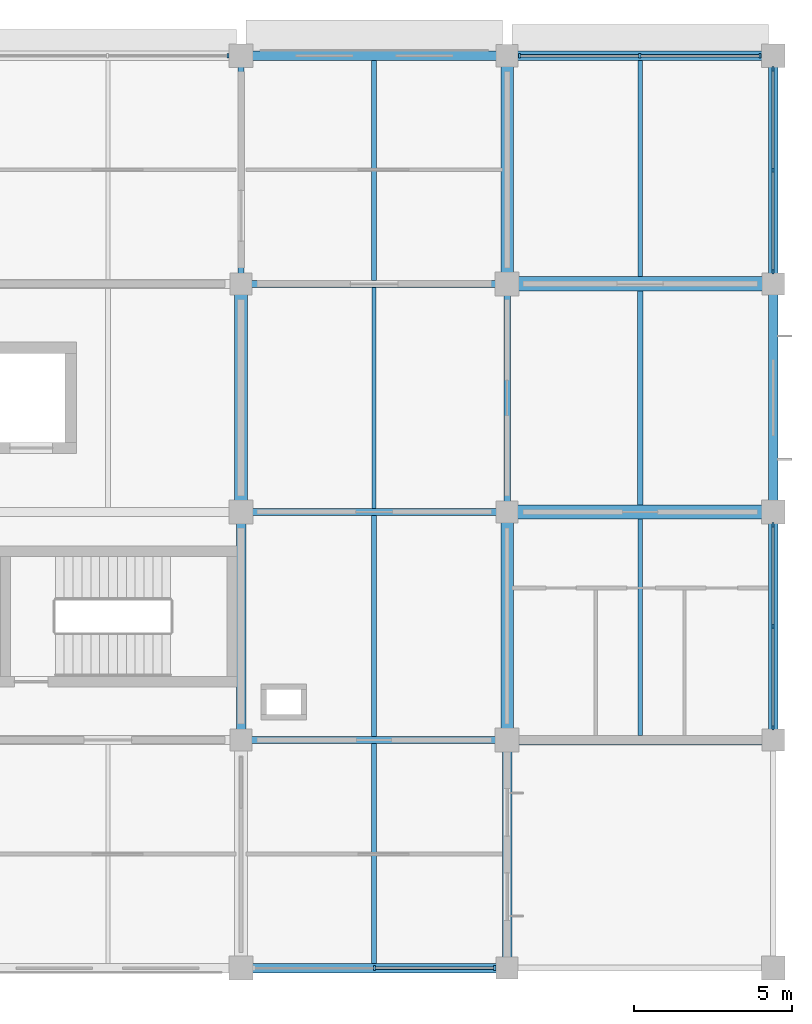
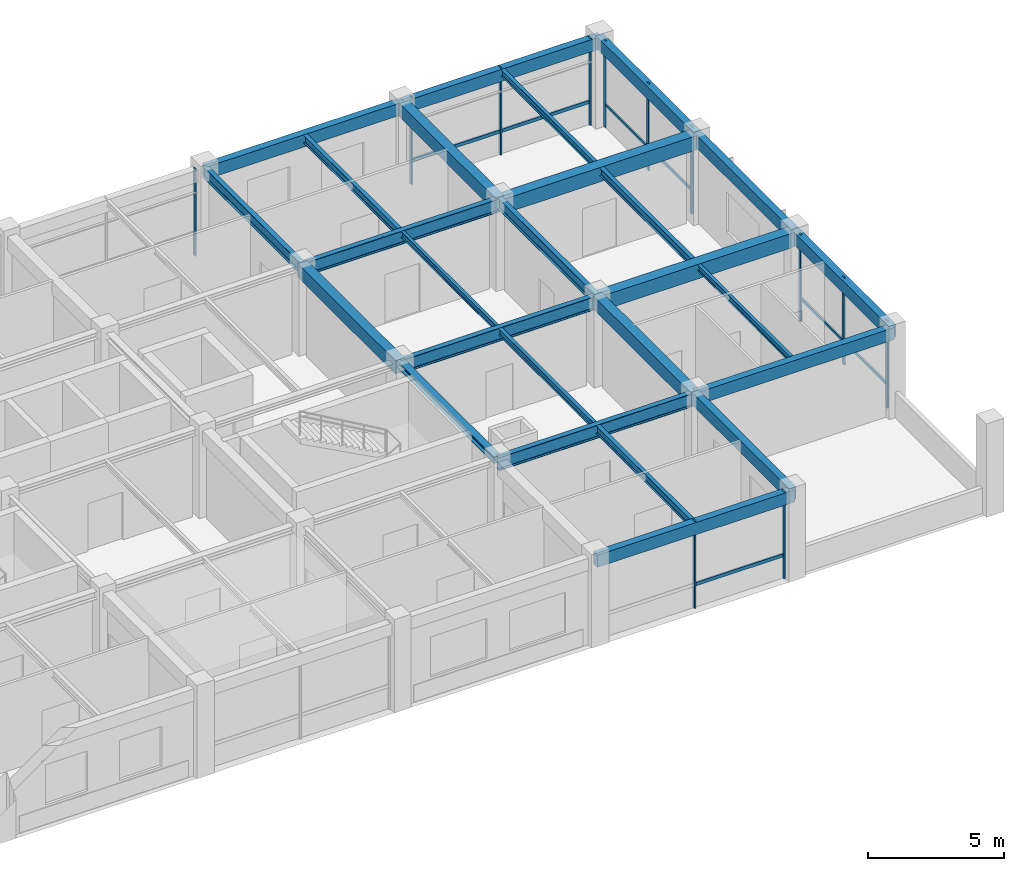
# One storey, part 6 of 14: 26 beams, 19 members, 5 elements without a shape of their own.
"""IFC4 building model written with IfcOpenShell, lengths in metres."""

import ifcopenshell
import ifcopenshell.guid

model = None  # the IFC model being written
_history = None  # IfcOwnerHistory: only IFC2X3 demands one
_inside = {}  # id of a spatial element -> (the spatial element, [elements in it])
_under = {}  # id of a project, library or spatial element -> (it, [spatial elements below it])
_declared = {}  # id of a project -> (the project, [libraries it declares])
_typed = {}  # id of a type object -> (the type object, [elements of that type])
_made_of = {}  # id of a material, layer set ... -> (it, [elements and type objects made of it])


def new_model(schema):
    """Start an empty IFC model of exactly this schema.

    Asked for "IFC4X3", IfcOpenShell would pick the latest addendum, in which some entities
    have other attributes; the version numbers below select the first issue.
    IFC2X3 requires an IfcOwnerHistory on every rooted entity: one is made here for all.
    """
    global model, _history
    if schema == "IFC4X3":
        model = ifcopenshell.file(schema_version=(4, 3, 0, 0))
    else:
        model = ifcopenshell.file(schema=schema)
    _inside.clear()
    _under.clear()
    _declared.clear()
    _typed.clear()
    _made_of.clear()
    _history = None
    if model.schema == "IFC2X3":
        org = make("IfcOrganization", Name="unknown")
        user = make(
            "IfcPersonAndOrganization",
            ThePerson=make("IfcPerson", FamilyName="unknown"),
            TheOrganization=org,
        )
        app = make(
            "IfcApplication",
            ApplicationDeveloper=org,
            Version="unknown",
            ApplicationFullName="unknown",
            ApplicationIdentifier="unknown",
        )
        _history = make(
            "IfcOwnerHistory",
            OwningUser=user,
            OwningApplication=app,
            ChangeAction="ADDED",
            CreationDate=0,
        )
    return model


def make(cls, **values):
    """One entity of the class cls with the attributes given. An attribute that is None is left unset."""
    return model.create_entity(
        cls, **{name: value for name, value in values.items() if value is not None}
    )


def rooted(cls, **values):
    """An entity with a GlobalId (a new one), such as an element, a storey or a relation."""
    return make(cls, GlobalId=ifcopenshell.guid.new(), OwnerHistory=_history, **values)


def si_unit(unit_type, name, prefix=None):
    """IfcSIUnit, for example si_unit("LENGTHUNIT", "METRE", prefix="MILLI")."""
    return make("IfcSIUnit", UnitType=unit_type, Prefix=prefix, Name=name)


def derived_unit(unit_type, elements):
    """IfcDerivedUnit: a product of units, each with its exponent."""
    return make(
        "IfcDerivedUnit",
        Elements=[
            make("IfcDerivedUnitElement", Unit=unit, Exponent=power)
            for unit, power in elements
        ],
        UnitType=unit_type,
    )


def assignment(units):
    """IfcUnitAssignment: the units of a project."""
    return None if units is None else make("IfcUnitAssignment", Units=units)


def point(xyz):
    """IfcCartesianPoint."""
    return None if xyz is None else make("IfcCartesianPoint", Coordinates=xyz)


def direction(xyz):
    """IfcDirection."""
    return None if xyz is None else make("IfcDirection", DirectionRatios=xyz)


def frame(location, z_axis=None, x_axis=None):
    """IfcAxis2Placement3D, a coordinate frame: its origin and axes. An axis left out is left unset."""
    return make(
        "IfcAxis2Placement3D",
        Location=point(location),
        Axis=direction(z_axis),
        RefDirection=direction(x_axis),
    )


def frame_2d(location, x_axis=None):
    """IfcAxis2Placement2D, a coordinate frame in the plane: its origin and x axis."""
    return make(
        "IfcAxis2Placement2D", Location=point(location), RefDirection=direction(x_axis)
    )


def origin():
    """The frame at (0, 0, 0) with its axes left unset."""
    return frame((0.0, 0.0, 0.0))


def origin_2d():
    """The frame at (0, 0) in the plane with its x axis left unset."""
    return frame_2d((0.0, 0.0))


def place(relative_to, where):
    """IfcLocalPlacement: puts the frame where relative to a parent placement (None: the world)."""
    return make(
        "IfcLocalPlacement", PlacementRelTo=relative_to, RelativePlacement=where
    )


def context(
    kind, dimensions, precision=None, world=None, true_north=None, identifier=None
):
    """IfcGeometricRepresentationContext, for example the 3D "Model" context."""
    return make(
        "IfcGeometricRepresentationContext",
        ContextIdentifier=identifier,
        ContextType=kind,
        CoordinateSpaceDimension=dimensions,
        Precision=precision,
        WorldCoordinateSystem=world,
        TrueNorth=true_north,
    )


def subcontext(parent, identifier, kind, view, scale=None):
    """IfcGeometricRepresentationSubContext, for example "Body" below "Model"."""
    return make(
        "IfcGeometricRepresentationSubContext",
        ContextIdentifier=identifier,
        ContextType=kind,
        ParentContext=parent,
        TargetScale=scale,
        TargetView=view,
    )


def project(units=None, contexts=None):
    """IfcProject with its units and contexts."""
    return rooted(
        "IfcProject",
        Name="project",
        RepresentationContexts=contexts,
        UnitsInContext=assignment(units),
    )


def spatial(cls, under=None, at=None, **own):
    """A site, building, storey or space (cls), placed at a placement, below another one or the project."""
    s = rooted(cls, ObjectPlacement=at, **own)
    if under is not None:
        _under.setdefault(under.id(), (under, []))[1].append(s)
    return s


def profile(cls, at=None, kind="AREA", **sizes):
    """A parametric profile (cls). Its sizes go by their IFC names, for example OverallWidth=200.0."""
    return make(cls, ProfileType=kind, Position=at, **sizes)


def rectangle(**sizes):
    """IfcRectangleProfileDef."""
    return profile("IfcRectangleProfileDef", **sizes)


def i_section(**sizes):
    """IfcIShapeProfileDef."""
    return profile("IfcIShapeProfileDef", **sizes)


def extrude(swept, where, along, depth):
    """IfcExtrudedAreaSolid: the profile swept, set in the frame where, extruded along a direction by depth."""
    return make(
        "IfcExtrudedAreaSolid",
        SweptArea=swept,
        Position=where,
        ExtrudedDirection=direction(along),
        Depth=depth,
    )


def shape(context_of_items, identifier, shape_type, items):
    """IfcShapeRepresentation: the items that make up one representation, for example the "Body"."""
    return make(
        "IfcShapeRepresentation",
        ContextOfItems=context_of_items,
        RepresentationIdentifier=identifier,
        RepresentationType=shape_type,
        Items=items,
    )


def material(Name=None, Category=None):
    """IfcMaterial."""
    return make("IfcMaterial", Name=Name, Category=Category)


def material_profile(
    of_material, cross_section, Name=None, Category=None, Priority=None
):
    """IfcMaterialProfile: a cross section and its material."""
    return make(
        "IfcMaterialProfile",
        Name=Name,
        Material=of_material,
        Profile=cross_section,
        Priority=Priority,
        Category=Category,
    )


def profile_set(profiles, Name=None, composite=None):
    """IfcMaterialProfileSet."""
    return make(
        "IfcMaterialProfileSet",
        Name=Name,
        MaterialProfiles=profiles,
        CompositeProfile=composite,
    )


def made_of(thing, what):
    """Note that an element or type object is made of a material, layer set ...; save() writes the relation."""
    if what is not None:
        _made_of.setdefault(what.id(), (what, []))[1].append(thing)
    return thing


def type_object(cls, material=None, **own):
    """A type object (cls), such as IfcWallType, which elements share."""
    return made_of(rooted(cls, **own), material)


def element(
    cls,
    number,
    at=None,
    inside=None,
    cuts=None,
    type_object=None,
    material=None,
    context=None,
    identifier="Body",
    shape_type=None,
    held_by="IfcProductDefinitionShape",
    body=None,
    shapes=None,
    **own,
):
    """One element of the class cls, such as IfcWall. Its Tag is "e" and its number.

    at: its placement. inside: the storey or other place that contains it. cuts: it is an
    opening in that element (IfcRelVoidsElement). A single representation is given by context,
    identifier, shape_type and body (its items); several are given by shapes. held_by: the class
    of the entity that holds the representations. save() writes the other relations.
    """
    e = rooted(cls, Tag="e%d" % number, ObjectPlacement=at, **own)
    if body is not None:
        shapes = [shape(context, identifier, shape_type, body)]
    if shapes is not None:
        e.Representation = make(held_by, Representations=shapes)
    if inside is not None:
        _inside.setdefault(inside.id(), (inside, []))[1].append(e)
    if cuts is not None:
        rooted(
            "IfcRelVoidsElement", RelatingBuildingElement=cuts, RelatedOpeningElement=e
        )
    if type_object is not None:
        _typed.setdefault(type_object.id(), (type_object, []))[1].append(e)
    return made_of(e, material)


def aggregate(whole, parts):
    """IfcRelAggregates: a whole, such as a stair, and the parts it consists of."""
    return rooted("IfcRelAggregates", RelatingObject=whole, RelatedObjects=parts)


def save(model, path):
    """Write the relations noted so far, then the file.

    IfcRelAggregates (storeys below a building ...), IfcRelContainedInSpatialStructure (elements
    in a storey), IfcRelDefinesByType, IfcRelAssociatesMaterial and IfcRelDeclares: one each for
    every whole, place, type object, material and project.
    """
    for whole, parts in _under.values():
        aggregate(whole, parts)
    for where, things in _inside.values():
        rooted(
            "IfcRelContainedInSpatialStructure",
            RelatedElements=things,
            RelatingStructure=where,
        )
    for kind, things in _typed.values():
        rooted("IfcRelDefinesByType", RelatedObjects=things, RelatingType=kind)
    for what, things in _made_of.values():
        rooted("IfcRelAssociatesMaterial", RelatedObjects=things, RelatingMaterial=what)
    for by, libraries in _declared.values():
        rooted("IfcRelDeclares", RelatingContext=by, RelatedDefinitions=libraries)
    model.write(path)


model = new_model("IFC4")

# Units and contexts
model_context = context("Model", 3, precision=1e-05, world=origin(), true_north=direction((0.0, 1.0)))
body_context = subcontext(model_context, "Body", "Model", "MODEL_VIEW")
ifc_project = project(units=[si_unit("LENGTHUNIT", "METRE"), si_unit("AREAUNIT", "SQUARE_METRE"), si_unit("VOLUMEUNIT", "CUBIC_METRE"), si_unit("PLANEANGLEUNIT", "RADIAN"), si_unit("MASSUNIT", "GRAM", prefix="KILO"), derived_unit("THERMALTRANSMITTANCEUNIT", [(si_unit("MASSUNIT", "GRAM", prefix="KILO"), 1), (si_unit("TIMEUNIT", "SECOND"), -3), (si_unit("THERMODYNAMICTEMPERATUREUNIT", "KELVIN"), -1)])], contexts=[model_context])

# Site, building, storey
site_placement = place(None, origin())
site = spatial("IfcSite", under=ifc_project, at=site_placement, CompositionType="ELEMENT")
building_placement = place(site_placement, origin())
building = spatial("IfcBuilding", under=site, at=building_placement, Name="Veldstrom Oceanarium and Marine Research Institute", CompositionType="ELEMENT")
storey_placement = place(building_placement, frame((0.0, 0.0, 35.39990234375)))
storey = spatial("IfcBuildingStorey", under=building, at=storey_placement, Name="L07", CompositionType="ELEMENT", Elevation=35.39990234375)

# Curtain wall, member
ifc_material_1 = material(Name="Anodised Aluminium Framing", Category="aluminium")
curtain_wall_type_1 = type_object("IfcCurtainWallType", Name="ARC-CW-CW04", PredefinedType="USERDEFINED", material=ifc_material_1)
curtain_wall_1_placement = place(storey_placement, origin())
curtain_wall_1 = element("IfcCurtainWall", 1, at=curtain_wall_1_placement, inside=storey, type_object=curtain_wall_type_1, Name="Curtain Wall CW04 CW-L07-117", ObjectType="Curtain wall", PredefinedType="USERDEFINED")
ifc_material_2 = material(Name="Anodised Aluminium Framing", Category="aluminium")
ifc_material_profile_1 = material_profile(ifc_material_2, rectangle(XDim=0.06494140625, YDim=0.14990234375, at=origin_2d()), Name="ALU-MUL-65x150")
ifc_profile_set_1 = profile_set([ifc_material_profile_1], Name="Anodised Aluminium Framing")
member_type_1 = type_object("IfcMemberType", Name="ARC-MUL-ML2", PredefinedType="MULLION", material=ifc_profile_set_1)
member_1_placement = place(storey_placement, frame((100.385009765625, 72.0, 0.0), z_axis=(0.0, 0.0, 1.0), x_axis=(1.0, 0.0, 0.0)))
member_1 = element("IfcMember", 2, at=member_1_placement, type_object=member_type_1, Name="Curtain Wall Mullion CW-L07-117-MUL-3", PredefinedType="MULLION", context=body_context, shape_type="SweptSolid", body=[
    extrude(rectangle(XDim=0.06494140625, YDim=0.14990234375, at=origin_2d()), origin(), (0.0, 0.0, 1.0), 3.920166015625),
])
aggregate(curtain_wall_1, [member_1])

# Curtain wall, members
curtain_wall_2_placement = place(storey_placement, origin())
curtain_wall_2 = element("IfcCurtainWall", 3, at=curtain_wall_2_placement, inside=storey, type_object=curtain_wall_type_1, Name="Curtain Wall CW04 CW-L07-118", ObjectType="Curtain wall", PredefinedType="USERDEFINED")
member_2_placement = place(storey_placement, frame((105.012451171875, 43.199951171875, 0.0), z_axis=(0.0, 0.0, 1.0), x_axis=(1.0, 0.0, 0.0)))
member_2 = element("IfcMember", 4, at=member_2_placement, type_object=member_type_1, Name="Curtain Wall Mullion CW-L07-118-MUL-2", PredefinedType="MULLION", context=body_context, shape_type="SweptSolid", body=[
    extrude(rectangle(XDim=0.06494140625, YDim=0.14990234375, at=origin_2d()), origin(), (0.0, 0.0, 1.0), 3.920166015625),
])
member_3_placement = place(storey_placement, frame((108.81005859375, 43.199951171875, 0.0), z_axis=(0.0, 0.0, 1.0), x_axis=(1.0, 0.0, 0.0)))
member_3 = element("IfcMember", 5, at=member_3_placement, type_object=member_type_1, Name="Curtain Wall Mullion CW-L07-118-MUL-3", PredefinedType="MULLION", context=body_context, shape_type="SweptSolid", body=[
    extrude(rectangle(XDim=0.06494140625, YDim=0.14990234375, at=origin_2d()), origin(), (0.0, 0.0, 1.0), 3.920166015625),
])

ifc_material_3 = material(Name="Anodised Aluminium Framing", Category="aluminium")
curtain_wall_type_2 = type_object("IfcCurtainWallType", Name="ARC-CW-CW08", PredefinedType="USERDEFINED", material=ifc_material_3)
curtain_wall_3_placement = place(storey_placement, origin())
curtain_wall_3 = element("IfcCurtainWall", 6, at=curtain_wall_3_placement, inside=storey, type_object=curtain_wall_type_2, Name="Curtain Wall CW08 CW-L07-119", ObjectType="Curtain wall", PredefinedType="USERDEFINED")
member_4_placement = place(storey_placement, frame((117.60009765625, 50.7900390625, 0.0), z_axis=(0.0, 0.0, 1.0), x_axis=(1.0, 0.0, 0.0)))
member_4 = element("IfcMember", 7, at=member_4_placement, type_object=member_type_1, Name="Curtain Wall Mullion CW-L07-119-MUL-1", PredefinedType="MULLION", context=body_context, shape_type="SweptSolid", body=[
    extrude(rectangle(XDim=0.06494140625, YDim=0.14990234375, at=origin_2d()), origin(), (0.0, 0.0, 1.0), 3.920166015625),
])
member_5_placement = place(storey_placement, frame((117.60009765625, 53.987548828125, 0.0), z_axis=(0.0, 0.0, 1.0), x_axis=(1.0, 0.0, 0.0)))
member_5 = element("IfcMember", 8, at=member_5_placement, type_object=member_type_1, Name="Curtain Wall Mullion CW-L07-119-MUL-2", PredefinedType="MULLION", context=body_context, shape_type="SweptSolid", body=[
    extrude(rectangle(XDim=0.06494140625, YDim=0.14990234375, at=origin_2d()), origin(), (0.0, 0.0, 1.0), 3.920166015625),
])
member_6_placement = place(storey_placement, frame((117.60009765625, 57.18505859375, 0.0), z_axis=(0.0, 0.0, 1.0), x_axis=(1.0, 0.0, 0.0)))
member_6 = element("IfcMember", 9, at=member_6_placement, type_object=member_type_1, Name="Curtain Wall Mullion CW-L07-119-MUL-3", PredefinedType="MULLION", context=body_context, shape_type="SweptSolid", body=[
    extrude(rectangle(XDim=0.06494140625, YDim=0.14990234375, at=origin_2d()), origin(), (0.0, 0.0, 1.0), 3.920166015625),
])

curtain_wall_4_placement = place(storey_placement, origin())
curtain_wall_4 = element("IfcCurtainWall", 10, at=curtain_wall_4_placement, inside=storey, type_object=curtain_wall_type_1, Name="Curtain Wall CW04 CW-L07-120", ObjectType="Curtain wall", PredefinedType="USERDEFINED")
member_7_placement = place(storey_placement, frame((109.590087890625, 72.0, 0.0), z_axis=(0.0, 0.0, 1.0), x_axis=(1.0, 0.0, 0.0)))
member_7 = element("IfcMember", 11, at=member_7_placement, type_object=member_type_1, Name="Curtain Wall Mullion CW-L07-120-MUL-1", PredefinedType="MULLION", context=body_context, shape_type="SweptSolid", body=[
    extrude(rectangle(XDim=0.06494140625, YDim=0.14990234375, at=origin_2d()), origin(), (0.0, 0.0, 1.0), 3.920166015625),
])
member_8_placement = place(storey_placement, frame((113.387451171875, 72.0, 0.0), z_axis=(0.0, 0.0, 1.0), x_axis=(1.0, 0.0, 0.0)))
member_8 = element("IfcMember", 12, at=member_8_placement, type_object=member_type_1, Name="Curtain Wall Mullion CW-L07-120-MUL-2", PredefinedType="MULLION", context=body_context, shape_type="SweptSolid", body=[
    extrude(rectangle(XDim=0.06494140625, YDim=0.14990234375, at=origin_2d()), origin(), (0.0, 0.0, 1.0), 3.920166015625),
])
member_9_placement = place(storey_placement, frame((117.18505859375, 72.0, 0.0), z_axis=(0.0, 0.0, 1.0), x_axis=(1.0, 0.0, 0.0)))
member_9 = element("IfcMember", 13, at=member_9_placement, type_object=member_type_1, Name="Curtain Wall Mullion CW-L07-120-MUL-3", PredefinedType="MULLION", context=body_context, shape_type="SweptSolid", body=[
    extrude(rectangle(XDim=0.06494140625, YDim=0.14990234375, at=origin_2d()), origin(), (0.0, 0.0, 1.0), 3.920166015625),
])

curtain_wall_5_placement = place(storey_placement, origin())
curtain_wall_5 = element("IfcCurtainWall", 14, at=curtain_wall_5_placement, inside=storey, type_object=curtain_wall_type_2, Name="Curtain Wall CW08 CW-L07-121", ObjectType="Curtain wall", PredefinedType="USERDEFINED")
member_10_placement = place(storey_placement, frame((117.60009765625, 65.18994140625, 0.0), z_axis=(0.0, 0.0, 1.0), x_axis=(1.0, 0.0, 0.0)))
member_10 = element("IfcMember", 15, at=member_10_placement, type_object=member_type_1, Name="Curtain Wall Mullion CW-L07-121-MUL-1", PredefinedType="MULLION", context=body_context, shape_type="SweptSolid", body=[
    extrude(rectangle(XDim=0.06494140625, YDim=0.14990234375, at=origin_2d()), origin(), (0.0, 0.0, 1.0), 3.920166015625),
])
member_11_placement = place(storey_placement, frame((117.60009765625, 68.387451171875, 0.0), z_axis=(0.0, 0.0, 1.0), x_axis=(1.0, 0.0, 0.0)))
member_11 = element("IfcMember", 16, at=member_11_placement, type_object=member_type_1, Name="Curtain Wall Mullion CW-L07-121-MUL-2", PredefinedType="MULLION", context=body_context, shape_type="SweptSolid", body=[
    extrude(rectangle(XDim=0.06494140625, YDim=0.14990234375, at=origin_2d()), origin(), (0.0, 0.0, 1.0), 3.920166015625),
])
member_12_placement = place(storey_placement, frame((117.60009765625, 71.5849609375, 0.0), z_axis=(0.0, 0.0, 1.0), x_axis=(1.0, 0.0, 0.0)))
member_12 = element("IfcMember", 17, at=member_12_placement, type_object=member_type_1, Name="Curtain Wall Mullion CW-L07-121-MUL-3", PredefinedType="MULLION", context=body_context, shape_type="SweptSolid", body=[
    extrude(rectangle(XDim=0.06494140625, YDim=0.14990234375, at=origin_2d()), origin(), (0.0, 0.0, 1.0), 3.920166015625),
])

# Member
ifc_material_4 = material(Name="Anodised Aluminium Framing", Category="aluminium")
ifc_material_profile_2 = material_profile(ifc_material_4, rectangle(XDim=0.074951171875, YDim=0.14990234375, at=origin_2d()), Name="ALU-TRN-75x150")
ifc_profile_set_2 = profile_set([ifc_material_profile_2], Name="Anodised Aluminium Framing")
member_type_2 = type_object("IfcMemberType", Name="ARC-TRN-TR1", PredefinedType="USERDEFINED", material=ifc_profile_set_2)
member_13_placement = place(storey_placement, frame((105.052490234375, 43.199951171875, 1.050048828125), z_axis=(1.0, 0.0, 0.0), x_axis=(0.0, 1.0, 0.0)))
member_13 = element("IfcMember", 18, at=member_13_placement, type_object=member_type_2, Name="Curtain Wall Transom CW-L07-118-TRN-2", ObjectType="Transom", PredefinedType="USERDEFINED", context=body_context, shape_type="SweptSolid", body=[
    extrude(rectangle(XDim=0.074951171875, YDim=0.14990234375, at=origin_2d()), origin(), (0.0, 0.0, 1.0), 3.717529296875),
])

aggregate(curtain_wall_2, [member_2, member_3, member_13])

member_14_placement = place(storey_placement, frame((109.6298828125, 72.0, 1.050048828125), z_axis=(1.0, 0.0, 0.0), x_axis=(0.0, 1.0, 0.0)))
member_14 = element("IfcMember", 19, at=member_14_placement, type_object=member_type_2, Name="Curtain Wall Transom CW-L07-120-TRN-1", ObjectType="Transom", PredefinedType="USERDEFINED", context=body_context, shape_type="SweptSolid", body=[
    extrude(rectangle(XDim=0.074951171875, YDim=0.14990234375, at=origin_2d()), origin(), (0.0, 0.0, 1.0), 3.717529296875),
])

member_15_placement = place(storey_placement, frame((113.427490234375, 72.0, 1.050048828125), z_axis=(1.0, 0.0, 0.0), x_axis=(0.0, 1.0, 0.0)))
member_15 = element("IfcMember", 20, at=member_15_placement, type_object=member_type_2, Name="Curtain Wall Transom CW-L07-120-TRN-2", ObjectType="Transom", PredefinedType="USERDEFINED", context=body_context, shape_type="SweptSolid", body=[
    extrude(rectangle(XDim=0.074951171875, YDim=0.14990234375, at=origin_2d()), origin(), (0.0, 0.0, 1.0), 3.717529296875),
])

aggregate(curtain_wall_4, [member_7, member_8, member_9, member_14, member_15])

ifc_material_5 = material(Name="Anodised Aluminium Framing", Category="aluminium")
ifc_material_profile_3 = material_profile(ifc_material_5, rectangle(XDim=0.06494140625, YDim=0.1201171875, at=origin_2d()), Name="ALU-TRN-65x120")
ifc_profile_set_3 = profile_set([ifc_material_profile_3], Name="Anodised Aluminium Framing")
member_type_3 = type_object("IfcMemberType", Name="ARC-TRN-TR2", PredefinedType="USERDEFINED", material=ifc_profile_set_3)
member_16_placement = place(storey_placement, frame((117.60009765625, 50.830078125, 1.050048828125), z_axis=(0.0, 1.0, 0.0), x_axis=(-1.0, 0.0, 0.0)))
member_16 = element("IfcMember", 21, at=member_16_placement, type_object=member_type_3, Name="Curtain Wall Transom CW-L07-119-TRN-1", ObjectType="Transom", PredefinedType="USERDEFINED", context=body_context, shape_type="SweptSolid", body=[
    extrude(rectangle(XDim=0.06494140625, YDim=0.1201171875, at=origin_2d()), origin(), (0.0, 0.0, 1.0), 3.117431640625),
])

member_17_placement = place(storey_placement, frame((117.60009765625, 54.027587890625, 1.050048828125), z_axis=(0.0, 1.0, 0.0), x_axis=(-1.0, 0.0, 0.0)))
member_17 = element("IfcMember", 22, at=member_17_placement, type_object=member_type_3, Name="Curtain Wall Transom CW-L07-119-TRN-2", ObjectType="Transom", PredefinedType="USERDEFINED", context=body_context, shape_type="SweptSolid", body=[
    extrude(rectangle(XDim=0.06494140625, YDim=0.1201171875, at=origin_2d()), origin(), (0.0, 0.0, 1.0), 3.117431640625),
])

aggregate(curtain_wall_3, [member_4, member_5, member_6, member_16, member_17])

member_18_placement = place(storey_placement, frame((117.60009765625, 65.22998046875, 1.050048828125), z_axis=(0.0, 1.0, 0.0), x_axis=(-1.0, 0.0, 0.0)))
member_18 = element("IfcMember", 23, at=member_18_placement, type_object=member_type_3, Name="Curtain Wall Transom CW-L07-121-TRN-1", ObjectType="Transom", PredefinedType="USERDEFINED", context=body_context, shape_type="SweptSolid", body=[
    extrude(rectangle(XDim=0.06494140625, YDim=0.1201171875, at=origin_2d()), origin(), (0.0, 0.0, 1.0), 3.117431640625),
])

member_19_placement = place(storey_placement, frame((117.60009765625, 68.427490234375, 1.050048828125), z_axis=(0.0, 1.0, 0.0), x_axis=(-1.0, 0.0, 0.0)))
member_19 = element("IfcMember", 24, at=member_19_placement, type_object=member_type_3, Name="Curtain Wall Transom CW-L07-121-TRN-2", ObjectType="Transom", PredefinedType="USERDEFINED", context=body_context, shape_type="SweptSolid", body=[
    extrude(rectangle(XDim=0.06494140625, YDim=0.1201171875, at=origin_2d()), origin(), (0.0, 0.0, 1.0), 3.117431640625),
])

aggregate(curtain_wall_5, [member_10, member_11, member_12, member_18, member_19])

# Beams
ifc_material_6 = material(Name="Concrete C40/50", Category="concrete")
ifc_material_profile_4 = material_profile(ifc_material_6, rectangle(XDim=0.449951171875, YDim=0.64990234375, at=origin_2d()), Name="RC-BM-450x650")
ifc_profile_set_4 = profile_set([ifc_material_profile_4], Name="Concrete C40/50")
beam_type_1 = type_object("IfcBeamType", Name="STR-BM-B05", PredefinedType="BEAM", material=ifc_profile_set_4)
for number, where, z_axis, x_axis, name in (
    (25, (109.199951171875, 57.60009765625, 3.590087890625), (1.0, 0.0, 0.0), (0.0, 1.0, 0.0), "Primary Beam B05 L07-2358"),
    (26, (109.199951171875, 64.800048828125, 3.590087890625), (1.0, 0.0, 0.0), (0.0, 1.0, 0.0), "Primary Beam B05 L07-2359"),
):
    element("IfcBeam", number, at=place(storey_placement, frame(where, z_axis=z_axis, x_axis=x_axis)), inside=storey, type_object=beam_type_1, Name=name, PredefinedType="BEAM", context=body_context, shape_type="SweptSolid", body=[
        extrude(rectangle(XDim=0.449951171875, YDim=0.64990234375, at=origin_2d()), origin(), (0.0, 0.0, 1.0), 8.400146484375),
    ])
ifc_material_7 = material(Name="Concrete C40/50", Category="concrete")
ifc_material_profile_5 = material_profile(ifc_material_7, rectangle(XDim=0.39990234375, YDim=0.60009765625, at=origin_2d()), Name="RC-BM-400x600")
ifc_profile_set_5 = profile_set([ifc_material_profile_5], Name="Concrete C40/50")
beam_type_2 = type_object("IfcBeamType", Name="STR-BM-B06", PredefinedType="BEAM", material=ifc_profile_set_5)
beam_1_placement = place(storey_placement, frame((100.800048828125, 57.60009765625, 3.614990234375), z_axis=(0.0, 1.0, 0.0), x_axis=(-1.0, 0.0, 0.0)))
element("IfcBeam", 27, at=beam_1_placement, inside=storey, type_object=beam_type_2, Name="Primary Beam B06 L07-2379", PredefinedType="BEAM", context=body_context, shape_type="SweptSolid", body=[
    extrude(rectangle(XDim=0.39990234375, YDim=0.60009765625, at=origin_2d()), origin(), (0.0, 0.0, 1.0), 7.199951171875),
])
beam_2_placement = place(storey_placement, frame((109.199951171875, 50.39990234375, 3.614990234375), z_axis=(0.0, 1.0, 0.0), x_axis=(-1.0, 0.0, 0.0)))
element("IfcBeam", 28, at=beam_2_placement, inside=storey, type_object=beam_type_2, Name="Primary Beam B06 L07-2382", PredefinedType="BEAM", context=body_context, shape_type="SweptSolid", body=[
    extrude(rectangle(XDim=0.39990234375, YDim=0.60009765625, at=origin_2d()), origin(), (0.0, 0.0, 1.0), 7.2001953125),
])
beam_3_placement = place(storey_placement, frame((109.199951171875, 64.800048828125, 3.614990234375), z_axis=(0.0, 1.0, 0.0), x_axis=(-1.0, 0.0, 0.0)))
element("IfcBeam", 29, at=beam_3_placement, inside=storey, type_object=beam_type_2, Name="Primary Beam B06 L07-2384", PredefinedType="BEAM", context=body_context, shape_type="SweptSolid", body=[
    extrude(rectangle(XDim=0.39990234375, YDim=0.60009765625, at=origin_2d()), origin(), (0.0, 0.0, 1.0), 7.199951171875),
])
ifc_material_8 = material(Name="Steel S355JR", Category="steel")
ifc_material_profile_6 = material_profile(ifc_material_8, i_section(OverallWidth=0.300048828125, OverallDepth=0.2900390625, WebThickness=0.008544921875, FlangeThickness=0.013916015625, FilletRadius=0.027099609375, at=origin_2d()), Name="HEA 300")
ifc_profile_set_6 = profile_set([ifc_material_profile_6], Name="Steel S355JR")
beam_type_3 = type_object("IfcBeamType", Name="STR-BM-SB10", PredefinedType="BEAM", material=ifc_profile_set_6)
beam_4_placement = place(storey_placement, frame((100.800048828125, 50.39990234375, 3.77001953125), z_axis=(0.0, 1.0, 0.0), x_axis=(-1.0, 0.0, 0.0)))
element("IfcBeam", 30, at=beam_4_placement, inside=storey, type_object=beam_type_3, Name="Steel Tie Beam SB10 L07-2378", PredefinedType="BEAM", context=body_context, shape_type="SweptSolid", body=[
    extrude(i_section(OverallWidth=0.300048828125, OverallDepth=0.2900390625, WebThickness=0.008544921875, FlangeThickness=0.013916015625, FilletRadius=0.027099609375, at=origin_2d()), origin(), (0.0, 0.0, 1.0), 7.2001953125),
])
ifc_material_9 = material(Name="Steel S355JR", Category="steel")
ifc_material_profile_7 = material_profile(ifc_material_9, i_section(OverallWidth=0.219970703125, OverallDepth=0.60009765625, WebThickness=0.011962890625, FlangeThickness=0.01904296875, FilletRadius=0.02392578125, at=origin_2d()), Name="IPE 600")
ifc_profile_set_7 = profile_set([ifc_material_profile_7], Name="Steel S355JR")
beam_type_4 = type_object("IfcBeamType", Name="STR-BM-SB5", PredefinedType="BEAM", material=ifc_profile_set_7)
for number, where, z_axis, x_axis, name in (
    (31, (100.800048828125, 50.39990234375, 3.614990234375), (1.0, 0.0, 0.0), (0.0, 1.0, 0.0), "Steel Floor Girder SB5 L07-2353"),
    (32, (100.800048828125, 57.60009765625, 3.614990234375), (1.0, 0.0, 0.0), (0.0, 1.0, 0.0), "Steel Floor Girder SB5 L07-2354"),
    (33, (100.800048828125, 64.800048828125, 3.614990234375), (1.0, 0.0, 0.0), (0.0, 1.0, 0.0), "Steel Floor Girder SB5 L07-2355"),
):
    element("IfcBeam", number, at=place(storey_placement, frame(where, z_axis=z_axis, x_axis=x_axis)), inside=storey, type_object=beam_type_4, Name=name, PredefinedType="BEAM", context=body_context, shape_type="SweptSolid", body=[
        extrude(i_section(OverallWidth=0.219970703125, OverallDepth=0.60009765625, WebThickness=0.011962890625, FlangeThickness=0.01904296875, FilletRadius=0.02392578125, at=origin_2d()), origin(), (0.0, 0.0, 1.0), 8.39990234375),
    ])
ifc_material_10 = material(Name="Steel S355JR", Category="steel")
ifc_material_profile_8 = material_profile(ifc_material_10, i_section(OverallWidth=0.199951171875, OverallDepth=0.5, WebThickness=0.01025390625, FlangeThickness=0.01611328125, FilletRadius=0.02099609375, at=origin_2d()), Name="IPE 500")
ifc_profile_set_8 = profile_set([ifc_material_profile_8], Name="Steel S355JR")
beam_type_5 = type_object("IfcBeamType", Name="STR-BM-SB6", PredefinedType="BEAM", material=ifc_profile_set_8)
for number, where, z_axis, x_axis, name in (
    (34, (100.800048828125, 64.800048828125, 3.6650390625), (0.0, 1.0, 0.0), (-1.0, 0.0, 0.0), "Steel Tie Beam SB6 L07-2380"),
    (35, (109.199951171875, 57.60009765625, 3.6650390625), (0.0, 1.0, 0.0), (-1.0, 0.0, 0.0), "Steel Tie Beam SB6 L07-2383"),
):
    element("IfcBeam", number, at=place(storey_placement, frame(where, z_axis=z_axis, x_axis=x_axis)), inside=storey, type_object=beam_type_5, Name=name, PredefinedType="BEAM", context=body_context, shape_type="SweptSolid", body=[
        extrude(i_section(OverallWidth=0.199951171875, OverallDepth=0.5, WebThickness=0.01025390625, FlangeThickness=0.01611328125, FilletRadius=0.02099609375, at=origin_2d()), origin(), (0.0, 0.0, 1.0), 7.199951171875),
    ])
ifc_material_11 = material(Name="Steel S355JR", Category="steel")
ifc_material_profile_9 = material_profile(ifc_material_11, i_section(OverallWidth=0.169921875, OverallDepth=0.360107421875, WebThickness=0.008056640625, FlangeThickness=0.0126953125, FilletRadius=0.01806640625, at=origin_2d()), Name="IPE 360")
ifc_profile_set_9 = profile_set([ifc_material_profile_9], Name="Steel S355JR")
beam_type_6 = type_object("IfcBeamType", Name="STR-JST-SJ1", PredefinedType="JOIST", material=ifc_profile_set_9)
beam_5_placement = place(storey_placement, frame((105.0, 43.35009765625, 3.735107421875), z_axis=(0.0, 1.0, 0.0), x_axis=(-1.0, 0.0, 0.0)))
element("IfcBeam", 36, at=beam_5_placement, inside=storey, type_object=beam_type_6, Name="Secondary Joist SJ1 L07-2401", PredefinedType="JOIST", context=body_context, shape_type="SweptSolid", body=[
    extrude(i_section(OverallWidth=0.169921875, OverallDepth=0.360107421875, WebThickness=0.008056640625, FlangeThickness=0.0126953125, FilletRadius=0.01806640625, at=origin_2d()), origin(), (0.0, 0.0, 1.0), 6.93994140625),
])
beam_6_placement = place(storey_placement, frame((105.0, 64.909912109375, 3.735107421875), z_axis=(0.0, 1.0, 0.0), x_axis=(-1.0, 0.0, 0.0)))
element("IfcBeam", 37, at=beam_6_placement, inside=storey, type_object=beam_type_6, Name="Secondary Joist SJ1 L07-2404", PredefinedType="JOIST", context=body_context, shape_type="SweptSolid", body=[
    extrude(i_section(OverallWidth=0.169921875, OverallDepth=0.360107421875, WebThickness=0.008056640625, FlangeThickness=0.0126953125, FilletRadius=0.01806640625, at=origin_2d()), origin(), (0.0, 0.0, 1.0), 6.940185546875),
])
beam_7_placement = place(storey_placement, frame((113.39990234375, 57.824951171875, 3.735107421875), z_axis=(0.0, 1.0, 0.0), x_axis=(-1.0, 0.0, 0.0)))
element("IfcBeam", 38, at=beam_7_placement, inside=storey, type_object=beam_type_6, Name="Secondary Joist SJ1 L07-2406", PredefinedType="JOIST", context=body_context, shape_type="SweptSolid", body=[
    extrude(i_section(OverallWidth=0.169921875, OverallDepth=0.360107421875, WebThickness=0.008056640625, FlangeThickness=0.0126953125, FilletRadius=0.01806640625, at=origin_2d()), origin(), (0.0, 0.0, 1.0), 6.75),
])
ifc_material_12 = material(Name="Steel S355JR", Category="steel")
ifc_material_profile_10 = material_profile(ifc_material_12, i_section(OverallWidth=0.14990234375, OverallDepth=0.300048828125, WebThickness=0.007080078125, FlangeThickness=0.0107421875, FilletRadius=0.014892578125, at=origin_2d()), Name="IPE 300")
ifc_profile_set_10 = profile_set([ifc_material_profile_10], Name="Steel S355JR")
beam_type_7 = type_object("IfcBeamType", Name="STR-JST-SJ2", PredefinedType="JOIST", material=ifc_profile_set_10)
beam_8_placement = place(storey_placement, frame((105.0, 50.510009765625, 3.76513671875), z_axis=(0.0, 1.0, 0.0), x_axis=(-1.0, 0.0, 0.0)))
element("IfcBeam", 39, at=beam_8_placement, inside=storey, type_object=beam_type_7, Name="Secondary Joist SJ2 L07-2402", PredefinedType="JOIST", context=body_context, shape_type="SweptSolid", body=[
    extrude(i_section(OverallWidth=0.14990234375, OverallDepth=0.300048828125, WebThickness=0.007080078125, FlangeThickness=0.0107421875, FilletRadius=0.014892578125, at=origin_2d()), origin(), (0.0, 0.0, 1.0), 6.97998046875),
])
beam_9_placement = place(storey_placement, frame((113.39990234375, 65.02490234375, 3.76513671875), z_axis=(0.0, 1.0, 0.0), x_axis=(-1.0, 0.0, 0.0)))
element("IfcBeam", 40, at=beam_9_placement, inside=storey, type_object=beam_type_7, Name="Secondary Joist SJ2 L07-2407", PredefinedType="JOIST", context=body_context, shape_type="SweptSolid", body=[
    extrude(i_section(OverallWidth=0.14990234375, OverallDepth=0.300048828125, WebThickness=0.007080078125, FlangeThickness=0.0107421875, FilletRadius=0.014892578125, at=origin_2d()), origin(), (0.0, 0.0, 1.0), 6.8251953125),
])
ifc_material_13 = material(Name="Steel S355JR", Category="steel")
ifc_material_profile_11 = material_profile(ifc_material_13, i_section(OverallWidth=0.135009765625, OverallDepth=0.27001953125, WebThickness=0.006591796875, FlangeThickness=0.01025390625, FilletRadius=0.014892578125, at=origin_2d()), Name="IPE 270")
ifc_profile_set_11 = profile_set([ifc_material_profile_11], Name="Steel S355JR")
beam_type_8 = type_object("IfcBeamType", Name="STR-JST-SJ3", PredefinedType="JOIST", material=ifc_profile_set_11)
beam_10_placement = place(storey_placement, frame((105.0, 57.7099609375, 3.780029296875), z_axis=(0.0, 1.0, 0.0), x_axis=(-1.0, 0.0, 0.0)))
element("IfcBeam", 41, at=beam_10_placement, inside=storey, type_object=beam_type_8, Name="Secondary Joist SJ3 L07-2403", PredefinedType="JOIST", context=body_context, shape_type="SweptSolid", body=[
    extrude(i_section(OverallWidth=0.135009765625, OverallDepth=0.27001953125, WebThickness=0.006591796875, FlangeThickness=0.01025390625, FilletRadius=0.014892578125, at=origin_2d()), origin(), (0.0, 0.0, 1.0), 6.97998046875),
])
beam_11_placement = place(storey_placement, frame((113.39990234375, 50.550048828125, 3.780029296875), z_axis=(0.0, 1.0, 0.0), x_axis=(-1.0, 0.0, 0.0)))
element("IfcBeam", 42, at=beam_11_placement, inside=storey, type_object=beam_type_8, Name="Secondary Joist SJ3 L07-2405", PredefinedType="JOIST", context=body_context, shape_type="SweptSolid", body=[
    extrude(i_section(OverallWidth=0.135009765625, OverallDepth=0.27001953125, WebThickness=0.006591796875, FlangeThickness=0.01025390625, FilletRadius=0.014892578125, at=origin_2d()), origin(), (0.0, 0.0, 1.0), 6.824951171875),
])
ifc_material_14 = material(Name="Concrete C40/50", Category="concrete")
ifc_material_profile_12 = material_profile(ifc_material_14, rectangle(XDim=0.300048828125, YDim=0.550048828125, at=origin_2d()), Name="RC-SPN-300x550")
ifc_profile_set_12 = profile_set([ifc_material_profile_12], Name="Concrete C40/50")
beam_type_9 = type_object("IfcBeamType", Name="STR-SPN-SP2", PredefinedType="SPANDREL", material=ifc_profile_set_12)
for number, where, z_axis, x_axis, name in (
    (43, (100.800048828125, 43.199951171875, 3.64013671875), (1.0, 0.0, 0.0), (0.0, 1.0, 0.0), "Perimeter Spandrel SPB2 L07-2352"),
    (44, (100.800048828125, 72.0, 3.64013671875), (1.0, 0.0, 0.0), (0.0, 1.0, 0.0), "Perimeter Spandrel SPB2 L07-2356"),
):
    element("IfcBeam", number, at=place(storey_placement, frame(where, z_axis=z_axis, x_axis=x_axis)), inside=storey, type_object=beam_type_9, Name=name, PredefinedType="SPANDREL", context=body_context, shape_type="SweptSolid", body=[
        extrude(rectangle(XDim=0.300048828125, YDim=0.550048828125, at=origin_2d()), origin(), (0.0, 0.0, 1.0), 8.39990234375),
    ])
for number, where, z_axis, x_axis, name in (
    (45, (109.199951171875, 50.39990234375, 3.64013671875), (1.0, 0.0, 0.0), (0.0, 1.0, 0.0), "Perimeter Spandrel SPB2 L07-2357"),
    (46, (109.199951171875, 72.0, 3.64013671875), (1.0, 0.0, 0.0), (0.0, 1.0, 0.0), "Perimeter Spandrel SPB2 L07-2360"),
):
    element("IfcBeam", number, at=place(storey_placement, frame(where, z_axis=z_axis, x_axis=x_axis)), inside=storey, type_object=beam_type_9, Name=name, PredefinedType="SPANDREL", context=body_context, shape_type="SweptSolid", body=[
        extrude(rectangle(XDim=0.300048828125, YDim=0.550048828125, at=origin_2d()), origin(), (0.0, 0.0, 1.0), 8.400146484375),
    ])
beam_12_placement = place(storey_placement, frame((109.199951171875, 43.199951171875, 3.64013671875), z_axis=(0.0, 1.0, 0.0), x_axis=(-1.0, 0.0, 0.0)))
element("IfcBeam", 47, at=beam_12_placement, inside=storey, type_object=beam_type_9, Name="Perimeter Spandrel SPB2 L07-2381", PredefinedType="SPANDREL", context=body_context, shape_type="SweptSolid", body=[
    extrude(rectangle(XDim=0.300048828125, YDim=0.550048828125, at=origin_2d()), origin(), (0.0, 0.0, 1.0), 7.199951171875),
])
beam_13_placement = place(storey_placement, frame((117.60009765625, 50.39990234375, 3.64013671875), z_axis=(0.0, 1.0, 0.0), x_axis=(-1.0, 0.0, 0.0)))
element("IfcBeam", 48, at=beam_13_placement, inside=storey, type_object=beam_type_9, Name="Perimeter Spandrel SPB2 L07-2385", PredefinedType="SPANDREL", context=body_context, shape_type="SweptSolid", body=[
    extrude(rectangle(XDim=0.300048828125, YDim=0.550048828125, at=origin_2d()), origin(), (0.0, 0.0, 1.0), 7.2001953125),
])
for number, where, z_axis, x_axis, name in (
    (49, (117.60009765625, 57.60009765625, 3.64013671875), (0.0, 1.0, 0.0), (-1.0, 0.0, 0.0), "Perimeter Spandrel SPB2 L07-2386"),
    (50, (117.60009765625, 64.800048828125, 3.64013671875), (0.0, 1.0, 0.0), (-1.0, 0.0, 0.0), "Perimeter Spandrel SPB2 L07-2387"),
):
    element("IfcBeam", number, at=place(storey_placement, frame(where, z_axis=z_axis, x_axis=x_axis)), inside=storey, type_object=beam_type_9, Name=name, PredefinedType="SPANDREL", context=body_context, shape_type="SweptSolid", body=[
        extrude(rectangle(XDim=0.300048828125, YDim=0.550048828125, at=origin_2d()), origin(), (0.0, 0.0, 1.0), 7.199951171875),
    ])

save(model, "model.ifc")
